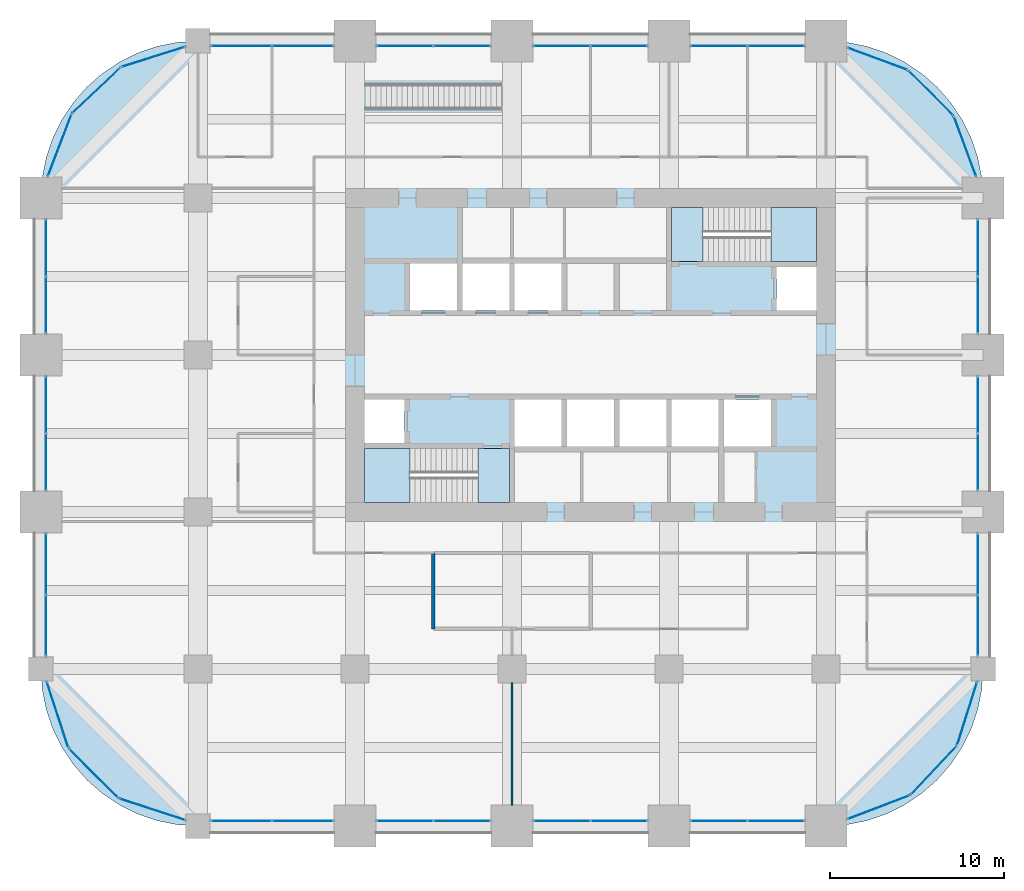
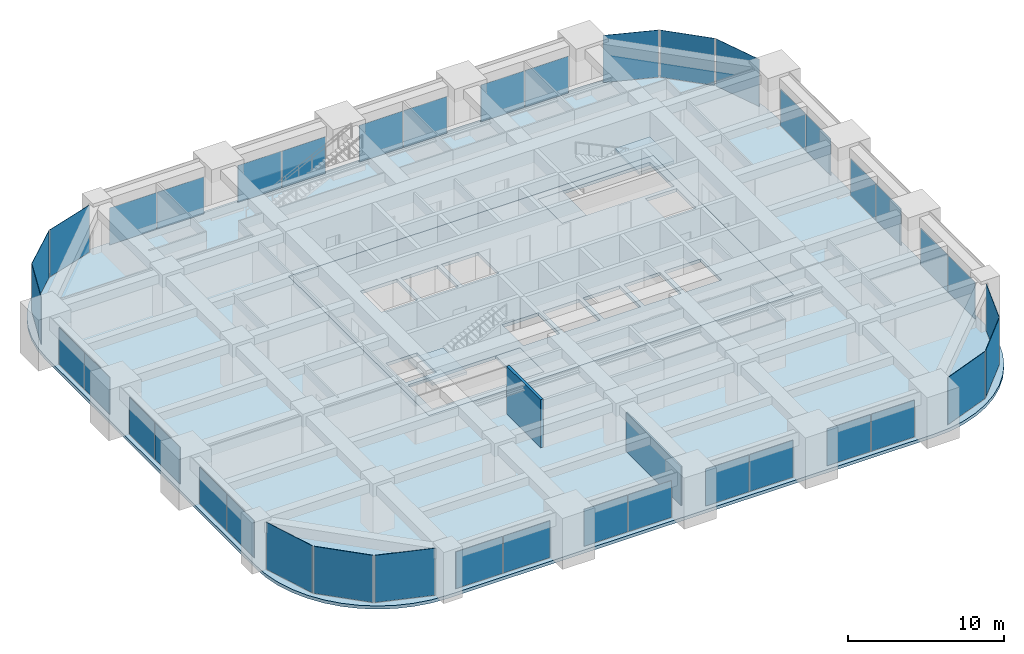
# One storey, part 28 of 33: 40 plates, 6 slabs, 2 walls, 28 elements without a shape of their own.
"""IFC4 building model written with IfcOpenShell, lengths in metres."""

from ifc_helpers import new_model, si_unit, direction, frame, frame_2d, origin, origin_2d, place, context, subcontext, project, spatial, polyline, rectangle, outline, extrude, material, layer, layer_set, type_object, element, aggregate, save


model = new_model("IFC4")

# Units and contexts
model_context = context("Model", 3, precision=1e-05, world=origin(), true_north=direction((0.0, 1.0)))
body_context = subcontext(model_context, "Body", "Model", "MODEL_VIEW")
ifc_project = project(units=[si_unit("LENGTHUNIT", "METRE"), si_unit("AREAUNIT", "SQUARE_METRE"), si_unit("VOLUMEUNIT", "CUBIC_METRE"), si_unit("PLANEANGLEUNIT", "RADIAN"), si_unit("MASSUNIT", "GRAM", prefix="KILO")], contexts=[model_context])

# Site, building, storey
site_placement = place(None, origin())
site = spatial("IfcSite", under=ifc_project, at=site_placement, CompositionType="ELEMENT")
building_placement = place(site_placement, origin())
building = spatial("IfcBuilding", under=site, at=building_placement, Name="Zorevar Civic Tower", CompositionType="ELEMENT")
storey_placement = place(building_placement, frame((0.0, 0.0, 194.199951171875)))
storey = spatial("IfcBuildingStorey", under=building, at=storey_placement, Name="L47", CompositionType="ELEMENT", Elevation=194.199951171875)

# Curtain wall, plates
ifc_material_1 = material(Name="Dark grey solar-control glass in black aluminium frame", Category="aluminium")
curtain_wall_type = type_object("IfcCurtainWallType", Name="Curtain wall CW4 high zone", PredefinedType="NOTDEFINED", material=ifc_material_1)
curtain_wall_1_placement = place(storey_placement, origin())
curtain_wall_1 = element("IfcCurtainWall", 1, at=curtain_wall_1_placement, inside=storey, type_object=curtain_wall_type, Name="CW4 L47", PredefinedType="NOTDEFINED")
ifc_material_2 = material(Name="Dark grey solar-control glass", Category="glass")
ifc_layer_1 = layer(ifc_material_2, 0.028076171875)
ifc_layer_set_1 = layer_set([ifc_layer_1], Name="CW4 panel 28")
plate_type = type_object("IfcPlateType", Name="CW4 panel 28", PredefinedType="CURTAIN_PANEL", material=ifc_layer_set_1)
plate_1_placement = place(storey_placement, frame((11.489990234375, 0.300048828125, 0.06005859375), z_axis=(0.0, 0.0, 1.0), x_axis=(1.0, 0.0, 0.0)))
plate_1 = element("IfcPlate", 2, at=plate_1_placement, type_object=plate_type, Name="CW4 panel 1.1", PredefinedType="CURTAIN_PANEL", context=body_context, shape_type="SweptSolid", body=[
    extrude(rectangle(XDim=3.4599609375, YDim=0.028076171875, at=origin_2d()), origin(), (0.0, 0.0, 1.0), 2.889892578125),
])
plate_2_placement = place(storey_placement, frame((15.010009765625, 0.300048828125, 0.06005859375), z_axis=(0.0, 0.0, 1.0), x_axis=(1.0, 0.0, 0.0)))
plate_2 = element("IfcPlate", 3, at=plate_2_placement, type_object=plate_type, Name="CW4 panel 2.1", PredefinedType="CURTAIN_PANEL", context=body_context, shape_type="SweptSolid", body=[
    extrude(rectangle(XDim=3.4599609375, YDim=0.028076171875, at=origin_2d()), origin(), (0.0, 0.0, 1.0), 2.889892578125),
])
aggregate(curtain_wall_1, [plate_1, plate_2])

curtain_wall_2_placement = place(storey_placement, origin())
curtain_wall_2 = element("IfcCurtainWall", 4, at=curtain_wall_2_placement, inside=storey, type_object=curtain_wall_type, Name="CW4 L47", PredefinedType="NOTDEFINED")
plate_3_placement = place(storey_placement, frame((11.489990234375, 44.699951171875, 0.06005859375), z_axis=(0.0, 0.0, 1.0), x_axis=(1.0, 0.0, 0.0)))
plate_3 = element("IfcPlate", 5, at=plate_3_placement, type_object=plate_type, Name="CW4 panel 1.1", PredefinedType="CURTAIN_PANEL", context=body_context, shape_type="SweptSolid", body=[
    extrude(rectangle(XDim=3.4599609375, YDim=0.028076171875, at=origin_2d()), origin(), (0.0, 0.0, 1.0), 2.889892578125),
])
plate_4_placement = place(storey_placement, frame((15.010009765625, 44.699951171875, 0.06005859375), z_axis=(0.0, 0.0, 1.0), x_axis=(1.0, 0.0, 0.0)))
plate_4 = element("IfcPlate", 6, at=plate_4_placement, type_object=plate_type, Name="CW4 panel 2.1", PredefinedType="CURTAIN_PANEL", context=body_context, shape_type="SweptSolid", body=[
    extrude(rectangle(XDim=3.4599609375, YDim=0.028076171875, at=origin_2d()), origin(), (0.0, 0.0, 1.0), 2.889892578125),
])
aggregate(curtain_wall_2, [plate_3, plate_4])

curtain_wall_3_placement = place(storey_placement, origin())
curtain_wall_3 = element("IfcCurtainWall", 7, at=curtain_wall_3_placement, inside=storey, type_object=curtain_wall_type, Name="CW4 L47", PredefinedType="NOTDEFINED")
plate_5_placement = place(storey_placement, frame((20.864990234375, 0.300048828125, 0.06005859375), z_axis=(0.0, 0.0, 1.0), x_axis=(1.0, 0.0, 0.0)))
plate_5 = element("IfcPlate", 8, at=plate_5_placement, type_object=plate_type, Name="CW4 panel 1.1", PredefinedType="CURTAIN_PANEL", context=body_context, shape_type="SweptSolid", body=[
    extrude(rectangle(XDim=3.2099609375, YDim=0.028076171875, at=origin_2d()), origin(), (0.0, 0.0, 1.0), 2.889892578125),
])
plate_6_placement = place(storey_placement, frame((24.135009765625, 0.300048828125, 0.06005859375), z_axis=(0.0, 0.0, 1.0), x_axis=(1.0, 0.0, 0.0)))
plate_6 = element("IfcPlate", 9, at=plate_6_placement, type_object=plate_type, Name="CW4 panel 2.1", PredefinedType="CURTAIN_PANEL", context=body_context, shape_type="SweptSolid", body=[
    extrude(rectangle(XDim=3.2099609375, YDim=0.028076171875, at=origin_2d()), origin(), (0.0, 0.0, 1.0), 2.889892578125),
])
aggregate(curtain_wall_3, [plate_5, plate_6])

curtain_wall_4_placement = place(storey_placement, origin())
curtain_wall_4 = element("IfcCurtainWall", 10, at=curtain_wall_4_placement, inside=storey, type_object=curtain_wall_type, Name="CW4 L47", PredefinedType="NOTDEFINED")
plate_7_placement = place(storey_placement, frame((20.864990234375, 44.699951171875, 0.06005859375), z_axis=(0.0, 0.0, 1.0), x_axis=(1.0, 0.0, 0.0)))
plate_7 = element("IfcPlate", 11, at=plate_7_placement, type_object=plate_type, Name="CW4 panel 1.1", PredefinedType="CURTAIN_PANEL", context=body_context, shape_type="SweptSolid", body=[
    extrude(rectangle(XDim=3.2099609375, YDim=0.028076171875, at=origin_2d()), origin(), (0.0, 0.0, 1.0), 2.889892578125),
])
plate_8_placement = place(storey_placement, frame((24.135009765625, 44.699951171875, 0.06005859375), z_axis=(0.0, 0.0, 1.0), x_axis=(1.0, 0.0, 0.0)))
plate_8 = element("IfcPlate", 12, at=plate_8_placement, type_object=plate_type, Name="CW4 panel 2.1", PredefinedType="CURTAIN_PANEL", context=body_context, shape_type="SweptSolid", body=[
    extrude(rectangle(XDim=3.2099609375, YDim=0.028076171875, at=origin_2d()), origin(), (0.0, 0.0, 1.0), 2.889892578125),
])
aggregate(curtain_wall_4, [plate_7, plate_8])

curtain_wall_5_placement = place(storey_placement, origin())
curtain_wall_5 = element("IfcCurtainWall", 13, at=curtain_wall_5_placement, inside=storey, type_object=curtain_wall_type, Name="CW4 L47", PredefinedType="NOTDEFINED")
plate_9_placement = place(storey_placement, frame((29.864990234375, 0.300048828125, 0.06005859375), z_axis=(0.0, 0.0, 1.0), x_axis=(1.0, 0.0, 0.0)))
plate_9 = element("IfcPlate", 14, at=plate_9_placement, type_object=plate_type, Name="CW4 panel 1.1", PredefinedType="CURTAIN_PANEL", context=body_context, shape_type="SweptSolid", body=[
    extrude(rectangle(XDim=3.2099609375, YDim=0.028076171875, at=origin_2d()), origin(), (0.0, 0.0, 1.0), 2.889892578125),
])
plate_10_placement = place(storey_placement, frame((33.135009765625, 0.300048828125, 0.06005859375), z_axis=(0.0, 0.0, 1.0), x_axis=(1.0, 0.0, 0.0)))
plate_10 = element("IfcPlate", 15, at=plate_10_placement, type_object=plate_type, Name="CW4 panel 2.1", PredefinedType="CURTAIN_PANEL", context=body_context, shape_type="SweptSolid", body=[
    extrude(rectangle(XDim=3.2099609375, YDim=0.028076171875, at=origin_2d()), origin(), (0.0, 0.0, 1.0), 2.889892578125),
])
aggregate(curtain_wall_5, [plate_9, plate_10])

curtain_wall_6_placement = place(storey_placement, origin())
curtain_wall_6 = element("IfcCurtainWall", 16, at=curtain_wall_6_placement, inside=storey, type_object=curtain_wall_type, Name="CW4 L47", PredefinedType="NOTDEFINED")
plate_11_placement = place(storey_placement, frame((29.864990234375, 44.699951171875, 0.06005859375), z_axis=(0.0, 0.0, 1.0), x_axis=(1.0, 0.0, 0.0)))
plate_11 = element("IfcPlate", 17, at=plate_11_placement, type_object=plate_type, Name="CW4 panel 1.1", PredefinedType="CURTAIN_PANEL", context=body_context, shape_type="SweptSolid", body=[
    extrude(rectangle(XDim=3.2099609375, YDim=0.028076171875, at=origin_2d()), origin(), (0.0, 0.0, 1.0), 2.889892578125),
])
plate_12_placement = place(storey_placement, frame((33.135009765625, 44.699951171875, 0.06005859375), z_axis=(0.0, 0.0, 1.0), x_axis=(1.0, 0.0, 0.0)))
plate_12 = element("IfcPlate", 18, at=plate_12_placement, type_object=plate_type, Name="CW4 panel 2.1", PredefinedType="CURTAIN_PANEL", context=body_context, shape_type="SweptSolid", body=[
    extrude(rectangle(XDim=3.2099609375, YDim=0.028076171875, at=origin_2d()), origin(), (0.0, 0.0, 1.0), 2.889892578125),
])
aggregate(curtain_wall_6, [plate_11, plate_12])

curtain_wall_7_placement = place(storey_placement, origin())
curtain_wall_7 = element("IfcCurtainWall", 19, at=curtain_wall_7_placement, inside=storey, type_object=curtain_wall_type, Name="CW4 L47", PredefinedType="NOTDEFINED")
plate_13_placement = place(storey_placement, frame((38.864990234375, 0.300048828125, 0.06005859375), z_axis=(0.0, 0.0, 1.0), x_axis=(1.0, 0.0, 0.0)))
plate_13 = element("IfcPlate", 20, at=plate_13_placement, type_object=plate_type, Name="CW4 panel 1.1", PredefinedType="CURTAIN_PANEL", context=body_context, shape_type="SweptSolid", body=[
    extrude(rectangle(XDim=3.2099609375, YDim=0.028076171875, at=origin_2d()), origin(), (0.0, 0.0, 1.0), 2.889892578125),
])
plate_14_placement = place(storey_placement, frame((42.135009765625, 0.300048828125, 0.06005859375), z_axis=(0.0, 0.0, 1.0), x_axis=(1.0, 0.0, 0.0)))
plate_14 = element("IfcPlate", 21, at=plate_14_placement, type_object=plate_type, Name="CW4 panel 2.1", PredefinedType="CURTAIN_PANEL", context=body_context, shape_type="SweptSolid", body=[
    extrude(rectangle(XDim=3.2099609375, YDim=0.028076171875, at=origin_2d()), origin(), (0.0, 0.0, 1.0), 2.889892578125),
])
aggregate(curtain_wall_7, [plate_13, plate_14])

curtain_wall_8_placement = place(storey_placement, origin())
curtain_wall_8 = element("IfcCurtainWall", 22, at=curtain_wall_8_placement, inside=storey, type_object=curtain_wall_type, Name="CW4 L47", PredefinedType="NOTDEFINED")
plate_15_placement = place(storey_placement, frame((38.864990234375, 44.699951171875, 0.06005859375), z_axis=(0.0, 0.0, 1.0), x_axis=(1.0, 0.0, 0.0)))
plate_15 = element("IfcPlate", 23, at=plate_15_placement, type_object=plate_type, Name="CW4 panel 1.1", PredefinedType="CURTAIN_PANEL", context=body_context, shape_type="SweptSolid", body=[
    extrude(rectangle(XDim=3.2099609375, YDim=0.028076171875, at=origin_2d()), origin(), (0.0, 0.0, 1.0), 2.889892578125),
])
plate_16_placement = place(storey_placement, frame((42.135009765625, 44.699951171875, 0.06005859375), z_axis=(0.0, 0.0, 1.0), x_axis=(1.0, 0.0, 0.0)))
plate_16 = element("IfcPlate", 24, at=plate_16_placement, type_object=plate_type, Name="CW4 panel 2.1", PredefinedType="CURTAIN_PANEL", context=body_context, shape_type="SweptSolid", body=[
    extrude(rectangle(XDim=3.2099609375, YDim=0.028076171875, at=origin_2d()), origin(), (0.0, 0.0, 1.0), 2.889892578125),
])
aggregate(curtain_wall_8, [plate_15, plate_16])

curtain_wall_9_placement = place(storey_placement, origin())
curtain_wall_9 = element("IfcCurtainWall", 25, at=curtain_wall_9_placement, inside=storey, type_object=curtain_wall_type, Name="CW4 L47", PredefinedType="NOTDEFINED")
plate_17_placement = place(storey_placement, frame((0.300048828125, 11.489990234375, 0.06005859375), z_axis=(0.0, 0.0, 1.0), x_axis=(0.0, 1.0, 0.0)))
plate_17 = element("IfcPlate", 26, at=plate_17_placement, type_object=plate_type, Name="CW4 panel 1.1", PredefinedType="CURTAIN_PANEL", context=body_context, shape_type="SweptSolid", body=[
    extrude(rectangle(XDim=3.4599609375, YDim=0.028076171875, at=origin_2d()), origin(), (0.0, 0.0, 1.0), 2.889892578125),
])
plate_18_placement = place(storey_placement, frame((0.300048828125, 15.010009765625, 0.06005859375), z_axis=(0.0, 0.0, 1.0), x_axis=(0.0, 1.0, 0.0)))
plate_18 = element("IfcPlate", 27, at=plate_18_placement, type_object=plate_type, Name="CW4 panel 2.1", PredefinedType="CURTAIN_PANEL", context=body_context, shape_type="SweptSolid", body=[
    extrude(rectangle(XDim=3.4599609375, YDim=0.028076171875, at=origin_2d()), origin(), (0.0, 0.0, 1.0), 2.889892578125),
])
aggregate(curtain_wall_9, [plate_17, plate_18])

curtain_wall_10_placement = place(storey_placement, origin())
curtain_wall_10 = element("IfcCurtainWall", 28, at=curtain_wall_10_placement, inside=storey, type_object=curtain_wall_type, Name="CW4 L47", PredefinedType="NOTDEFINED")
plate_19_placement = place(storey_placement, frame((53.699951171875, 11.489990234375, 0.06005859375), z_axis=(0.0, 0.0, 1.0), x_axis=(0.0, 1.0, 0.0)))
plate_19 = element("IfcPlate", 29, at=plate_19_placement, type_object=plate_type, Name="CW4 panel 1.1", PredefinedType="CURTAIN_PANEL", context=body_context, shape_type="SweptSolid", body=[
    extrude(rectangle(XDim=3.4599609375, YDim=0.028076171875, at=origin_2d()), origin(), (0.0, 0.0, 1.0), 2.889892578125),
])
plate_20_placement = place(storey_placement, frame((53.699951171875, 15.010009765625, 0.06005859375), z_axis=(0.0, 0.0, 1.0), x_axis=(0.0, 1.0, 0.0)))
plate_20 = element("IfcPlate", 30, at=plate_20_placement, type_object=plate_type, Name="CW4 panel 2.1", PredefinedType="CURTAIN_PANEL", context=body_context, shape_type="SweptSolid", body=[
    extrude(rectangle(XDim=3.4599609375, YDim=0.028076171875, at=origin_2d()), origin(), (0.0, 0.0, 1.0), 2.889892578125),
])
aggregate(curtain_wall_10, [plate_19, plate_20])

curtain_wall_11_placement = place(storey_placement, origin())
curtain_wall_11 = element("IfcCurtainWall", 31, at=curtain_wall_11_placement, inside=storey, type_object=curtain_wall_type, Name="CW4 L47", PredefinedType="NOTDEFINED")
plate_21_placement = place(storey_placement, frame((0.300048828125, 20.864990234375, 0.06005859375), z_axis=(0.0, 0.0, 1.0), x_axis=(0.0, 1.0, 0.0)))
plate_21 = element("IfcPlate", 32, at=plate_21_placement, type_object=plate_type, Name="CW4 panel 1.1", PredefinedType="CURTAIN_PANEL", context=body_context, shape_type="SweptSolid", body=[
    extrude(rectangle(XDim=3.2099609375, YDim=0.028076171875, at=origin_2d()), origin(), (0.0, 0.0, 1.0), 2.889892578125),
])
plate_22_placement = place(storey_placement, frame((0.300048828125, 24.135009765625, 0.06005859375), z_axis=(0.0, 0.0, 1.0), x_axis=(0.0, 1.0, 0.0)))
plate_22 = element("IfcPlate", 33, at=plate_22_placement, type_object=plate_type, Name="CW4 panel 2.1", PredefinedType="CURTAIN_PANEL", context=body_context, shape_type="SweptSolid", body=[
    extrude(rectangle(XDim=3.2099609375, YDim=0.028076171875, at=origin_2d()), origin(), (0.0, 0.0, 1.0), 2.889892578125),
])
aggregate(curtain_wall_11, [plate_21, plate_22])

curtain_wall_12_placement = place(storey_placement, origin())
curtain_wall_12 = element("IfcCurtainWall", 34, at=curtain_wall_12_placement, inside=storey, type_object=curtain_wall_type, Name="CW4 L47", PredefinedType="NOTDEFINED")
plate_23_placement = place(storey_placement, frame((53.699951171875, 20.864990234375, 0.06005859375), z_axis=(0.0, 0.0, 1.0), x_axis=(0.0, 1.0, 0.0)))
plate_23 = element("IfcPlate", 35, at=plate_23_placement, type_object=plate_type, Name="CW4 panel 1.1", PredefinedType="CURTAIN_PANEL", context=body_context, shape_type="SweptSolid", body=[
    extrude(rectangle(XDim=3.2099609375, YDim=0.028076171875, at=origin_2d()), origin(), (0.0, 0.0, 1.0), 2.889892578125),
])
plate_24_placement = place(storey_placement, frame((53.699951171875, 24.135009765625, 0.06005859375), z_axis=(0.0, 0.0, 1.0), x_axis=(0.0, 1.0, 0.0)))
plate_24 = element("IfcPlate", 36, at=plate_24_placement, type_object=plate_type, Name="CW4 panel 2.1", PredefinedType="CURTAIN_PANEL", context=body_context, shape_type="SweptSolid", body=[
    extrude(rectangle(XDim=3.2099609375, YDim=0.028076171875, at=origin_2d()), origin(), (0.0, 0.0, 1.0), 2.889892578125),
])
aggregate(curtain_wall_12, [plate_23, plate_24])

curtain_wall_13_placement = place(storey_placement, origin())
curtain_wall_13 = element("IfcCurtainWall", 37, at=curtain_wall_13_placement, inside=storey, type_object=curtain_wall_type, Name="CW4 L47", PredefinedType="NOTDEFINED")
plate_25_placement = place(storey_placement, frame((0.300048828125, 29.864990234375, 0.06005859375), z_axis=(0.0, 0.0, 1.0), x_axis=(0.0, 1.0, 0.0)))
plate_25 = element("IfcPlate", 38, at=plate_25_placement, type_object=plate_type, Name="CW4 panel 1.1", PredefinedType="CURTAIN_PANEL", context=body_context, shape_type="SweptSolid", body=[
    extrude(rectangle(XDim=3.2099609375, YDim=0.028076171875, at=origin_2d()), origin(), (0.0, 0.0, 1.0), 2.889892578125),
])
plate_26_placement = place(storey_placement, frame((0.300048828125, 33.135009765625, 0.06005859375), z_axis=(0.0, 0.0, 1.0), x_axis=(0.0, 1.0, 0.0)))
plate_26 = element("IfcPlate", 39, at=plate_26_placement, type_object=plate_type, Name="CW4 panel 2.1", PredefinedType="CURTAIN_PANEL", context=body_context, shape_type="SweptSolid", body=[
    extrude(rectangle(XDim=3.2099609375, YDim=0.028076171875, at=origin_2d()), origin(), (0.0, 0.0, 1.0), 2.889892578125),
])
aggregate(curtain_wall_13, [plate_25, plate_26])

curtain_wall_14_placement = place(storey_placement, origin())
curtain_wall_14 = element("IfcCurtainWall", 40, at=curtain_wall_14_placement, inside=storey, type_object=curtain_wall_type, Name="CW4 L47", PredefinedType="NOTDEFINED")
plate_27_placement = place(storey_placement, frame((53.699951171875, 29.864990234375, 0.06005859375), z_axis=(0.0, 0.0, 1.0), x_axis=(0.0, 1.0, 0.0)))
plate_27 = element("IfcPlate", 41, at=plate_27_placement, type_object=plate_type, Name="CW4 panel 1.1", PredefinedType="CURTAIN_PANEL", context=body_context, shape_type="SweptSolid", body=[
    extrude(rectangle(XDim=3.2099609375, YDim=0.028076171875, at=origin_2d()), origin(), (0.0, 0.0, 1.0), 2.889892578125),
])
plate_28_placement = place(storey_placement, frame((53.699951171875, 33.135009765625, 0.06005859375), z_axis=(0.0, 0.0, 1.0), x_axis=(0.0, 1.0, 0.0)))
plate_28 = element("IfcPlate", 42, at=plate_28_placement, type_object=plate_type, Name="CW4 panel 2.1", PredefinedType="CURTAIN_PANEL", context=body_context, shape_type="SweptSolid", body=[
    extrude(rectangle(XDim=3.2099609375, YDim=0.028076171875, at=origin_2d()), origin(), (0.0, 0.0, 1.0), 2.889892578125),
])
aggregate(curtain_wall_14, [plate_27, plate_28])

# Curtain wall, plate
curtain_wall_15_placement = place(storey_placement, origin())
curtain_wall_15 = element("IfcCurtainWall", 43, at=curtain_wall_15_placement, inside=storey, type_object=curtain_wall_type, Name="CW4 L47", PredefinedType="NOTDEFINED")
plate_29_placement = place(storey_placement, frame((48.0166015625, 1.07470703125, 0.06005859375), z_axis=(0.0, 0.0, 1.0), x_axis=(0.93458842801, 0.355730895803, 0.0)))
plate_29 = element("IfcPlate", 44, at=plate_29_placement, type_object=plate_type, Name="CW4 panel 1.1", PredefinedType="CURTAIN_PANEL", context=body_context, shape_type="SweptSolid", body=[
    extrude(rectangle(XDim=3.767333984375, YDim=0.028076171875, at=origin_2d()), origin(), (0.0, 0.0, 1.0), 3.68994140625),
])
aggregate(curtain_wall_15, [plate_29])

curtain_wall_16_placement = place(storey_placement, origin())
curtain_wall_16 = element("IfcCurtainWall", 45, at=curtain_wall_16_placement, inside=storey, type_object=curtain_wall_type, Name="CW4 L47", PredefinedType="NOTDEFINED")
plate_30_placement = place(storey_placement, frame((51.167236328125, 3.179443359375, 0.06005859375), z_axis=(0.0, 0.0, 1.0), x_axis=(0.686377907265, 0.727245053898, 0.0)))
plate_30 = element("IfcPlate", 46, at=plate_30_placement, type_object=plate_type, Name="CW4 panel 1.1", PredefinedType="CURTAIN_PANEL", context=body_context, shape_type="SweptSolid", body=[
    extrude(rectangle(XDim=3.767333984375, YDim=0.028076171875, at=origin_2d()), origin(), (0.0, 0.0, 1.0), 3.68994140625),
])
aggregate(curtain_wall_16, [plate_30])

curtain_wall_17_placement = place(storey_placement, origin())
curtain_wall_17 = element("IfcCurtainWall", 47, at=curtain_wall_17_placement, inside=storey, type_object=curtain_wall_type, Name="CW4 L47", PredefinedType="NOTDEFINED")
plate_31_placement = place(storey_placement, frame((53.08642578125, 6.446533203125, 0.06005859375), z_axis=(0.0, 0.0, 1.0), x_axis=(0.301108296077, 0.953589950678, 0.0)))
plate_31 = element("IfcPlate", 48, at=plate_31_placement, type_object=plate_type, Name="CW4 panel 1.1", PredefinedType="CURTAIN_PANEL", context=body_context, shape_type="SweptSolid", body=[
    extrude(rectangle(XDim=3.767333984375, YDim=0.028076171875, at=origin_2d()), origin(), (0.0, 0.0, 1.0), 3.68994140625),
])
aggregate(curtain_wall_17, [plate_31])

curtain_wall_18_placement = place(storey_placement, origin())
curtain_wall_18 = element("IfcCurtainWall", 49, at=curtain_wall_18_placement, inside=storey, type_object=curtain_wall_type, Name="CW4 L47", PredefinedType="NOTDEFINED")
plate_32_placement = place(storey_placement, frame((52.97119140625, 38.9462890625, 0.06005859375), z_axis=(0.0, 0.0, 1.0), x_axis=(-0.346704012033, 0.937974588163, 0.0)))
plate_32 = element("IfcPlate", 50, at=plate_32_placement, type_object=plate_type, Name="CW4 panel 1.1", PredefinedType="CURTAIN_PANEL", context=body_context, shape_type="SweptSolid", body=[
    extrude(rectangle(XDim=3.603759765625, YDim=0.028076171875, at=origin_2d()), origin(), (0.0, 0.0, 1.0), 3.68994140625),
])
aggregate(curtain_wall_18, [plate_32])

curtain_wall_19_placement = place(storey_placement, origin())
curtain_wall_19 = element("IfcCurtainWall", 51, at=curtain_wall_19_placement, inside=storey, type_object=curtain_wall_type, Name="CW4 L47", PredefinedType="NOTDEFINED")
plate_33_placement = place(storey_placement, frame((51.00927734375, 42.00927734375, 0.06005859375), z_axis=(0.0, 0.0, 1.0), x_axis=(-0.707106781187, 0.707106781187, 0.0)))
plate_33 = element("IfcPlate", 52, at=plate_33_placement, type_object=plate_type, Name="CW4 panel 1.1", PredefinedType="CURTAIN_PANEL", context=body_context, shape_type="SweptSolid", body=[
    extrude(rectangle(XDim=3.603759765625, YDim=0.028076171875, at=origin_2d()), origin(), (0.0, 0.0, 1.0), 3.68994140625),
])
aggregate(curtain_wall_19, [plate_33])

curtain_wall_20_placement = place(storey_placement, origin())
curtain_wall_20 = element("IfcCurtainWall", 53, at=curtain_wall_20_placement, inside=storey, type_object=curtain_wall_type, Name="CW4 L47", PredefinedType="NOTDEFINED")
plate_34_placement = place(storey_placement, frame((47.9462890625, 43.97119140625, 0.06005859375), z_axis=(0.0, 0.0, 1.0), x_axis=(-0.937974588163, 0.346704012033, 0.0)))
plate_34 = element("IfcPlate", 54, at=plate_34_placement, type_object=plate_type, Name="CW4 panel 1.1", PredefinedType="CURTAIN_PANEL", context=body_context, shape_type="SweptSolid", body=[
    extrude(rectangle(XDim=3.603759765625, YDim=0.028076171875, at=origin_2d()), origin(), (0.0, 0.0, 1.0), 3.68994140625),
])
aggregate(curtain_wall_20, [plate_34])

curtain_wall_21_placement = place(storey_placement, origin())
curtain_wall_21 = element("IfcCurtainWall", 55, at=curtain_wall_21_placement, inside=storey, type_object=curtain_wall_type, Name="CW4 L47", PredefinedType="NOTDEFINED")
plate_35_placement = place(storey_placement, frame((6.446533203125, 44.08642578125, 0.06005859375), z_axis=(0.0, 0.0, 1.0), x_axis=(-0.953589950678, -0.301108296077, 0.0)))
plate_35 = element("IfcPlate", 56, at=plate_35_placement, type_object=plate_type, Name="CW4 panel 1.1", PredefinedType="CURTAIN_PANEL", context=body_context, shape_type="SweptSolid", body=[
    extrude(rectangle(XDim=3.767333984375, YDim=0.028076171875, at=origin_2d()), origin(), (0.0, 0.0, 1.0), 3.68994140625),
])
aggregate(curtain_wall_21, [plate_35])

curtain_wall_22_placement = place(storey_placement, origin())
curtain_wall_22 = element("IfcCurtainWall", 57, at=curtain_wall_22_placement, inside=storey, type_object=curtain_wall_type, Name="CW4 L47", PredefinedType="NOTDEFINED")
plate_36_placement = place(storey_placement, frame((3.179443359375, 42.167236328125, 0.06005859375), z_axis=(0.0, 0.0, 1.0), x_axis=(-0.727245053898, -0.686377907265, 0.0)))
plate_36 = element("IfcPlate", 58, at=plate_36_placement, type_object=plate_type, Name="CW4 panel 1.1", PredefinedType="CURTAIN_PANEL", context=body_context, shape_type="SweptSolid", body=[
    extrude(rectangle(XDim=3.767333984375, YDim=0.028076171875, at=origin_2d()), origin(), (0.0, 0.0, 1.0), 3.68994140625),
])
aggregate(curtain_wall_22, [plate_36])

curtain_wall_23_placement = place(storey_placement, origin())
curtain_wall_23 = element("IfcCurtainWall", 59, at=curtain_wall_23_placement, inside=storey, type_object=curtain_wall_type, Name="CW4 L47", PredefinedType="NOTDEFINED")
plate_37_placement = place(storey_placement, frame((1.07470703125, 39.0166015625, 0.06005859375), z_axis=(0.0, 0.0, 1.0), x_axis=(-0.355730895803, -0.93458842801, 0.0)))
plate_37 = element("IfcPlate", 60, at=plate_37_placement, type_object=plate_type, Name="CW4 panel 1.1", PredefinedType="CURTAIN_PANEL", context=body_context, shape_type="SweptSolid", body=[
    extrude(rectangle(XDim=3.767333984375, YDim=0.028076171875, at=origin_2d()), origin(), (0.0, 0.0, 1.0), 3.68994140625),
])
aggregate(curtain_wall_23, [plate_37])

curtain_wall_24_placement = place(storey_placement, origin())
curtain_wall_24 = element("IfcCurtainWall", 61, at=curtain_wall_24_placement, inside=storey, type_object=curtain_wall_type, Name="CW4 L47", PredefinedType="NOTDEFINED")
plate_38_placement = place(storey_placement, frame((0.956787109375, 6.374755859375, 0.06005859375), z_axis=(0.0, 0.0, 1.0), x_axis=(0.310281419775, -0.950644749916, 0.0)))
plate_38 = element("IfcPlate", 62, at=plate_38_placement, type_object=plate_type, Name="CW4 panel 1.1", PredefinedType="CURTAIN_PANEL", context=body_context, shape_type="SweptSolid", body=[
    extrude(rectangle(XDim=3.9306640625, YDim=0.028076171875, at=origin_2d()), origin(), (0.0, 0.0, 1.0), 3.68994140625),
])
aggregate(curtain_wall_24, [plate_38])

curtain_wall_25_placement = place(storey_placement, origin())
curtain_wall_25 = element("IfcCurtainWall", 63, at=curtain_wall_25_placement, inside=storey, type_object=curtain_wall_type, Name="CW4 L47", PredefinedType="NOTDEFINED")
plate_39_placement = place(storey_placement, frame((3.01708984375, 3.01708984375, 0.06005859375), z_axis=(0.0, 0.0, 1.0), x_axis=(0.707106781187, -0.707106781187, 0.0)))
plate_39 = element("IfcPlate", 64, at=plate_39_placement, type_object=plate_type, Name="CW4 panel 1.1", PredefinedType="CURTAIN_PANEL", context=body_context, shape_type="SweptSolid", body=[
    extrude(rectangle(XDim=3.9306640625, YDim=0.028076171875, at=origin_2d()), origin(), (0.0, 0.0, 1.0), 3.68994140625),
])
aggregate(curtain_wall_25, [plate_39])

curtain_wall_26_placement = place(storey_placement, origin())
curtain_wall_26 = element("IfcCurtainWall", 65, at=curtain_wall_26_placement, inside=storey, type_object=curtain_wall_type, Name="CW4 L47", PredefinedType="NOTDEFINED")
plate_40_placement = place(storey_placement, frame((6.374755859375, 0.956787109375, 0.06005859375), z_axis=(0.0, 0.0, 1.0), x_axis=(0.950644749916, -0.310281419775, 0.0)))
plate_40 = element("IfcPlate", 66, at=plate_40_placement, type_object=plate_type, Name="CW4 panel 1.1", PredefinedType="CURTAIN_PANEL", context=body_context, shape_type="SweptSolid", body=[
    extrude(rectangle(XDim=3.9306640625, YDim=0.028076171875, at=origin_2d()), origin(), (0.0, 0.0, 1.0), 3.68994140625),
])
aggregate(curtain_wall_26, [plate_40])

# Slabs
ifc_material_3 = material(Name="Concrete C40/50", Category="concrete")
ifc_layer_2 = layer(ifc_material_3, 0.25)
ifc_layer_set_2 = layer_set([ifc_layer_2], Name="Floor slab 250")
slab_type_1 = type_object("IfcSlabType", Name="Floor slab 250", PredefinedType="FLOOR", material=ifc_layer_set_2)
slab_1_placement = place(storey_placement, frame((0.0, 0.0, -0.25)))
element("IfcSlab", 67, at=slab_1_placement, inside=storey, type_object=slab_type_1, Name="Floor slab L47", PredefinedType="FLOOR", context=body_context, shape_type="SweptSolid", body=[
    extrude(outline(polyline([(45.0, 0.0), (46.1748046875, 0.076904296875), (47.329345703125, 0.306640625), (48.444091796875, 0.68505859375), (49.5, 1.205810546875), (50.478759765625, 1.85986328125), (51.364013671875, 2.635986328125), (52.14013671875, 3.521240234375), (52.794189453125, 4.5), (53.31494140625, 5.555908203125), (53.693359375, 6.670654296875), (53.923095703125, 7.8251953125), (54.0, 9.0), (54.0, 36.0), (53.923095703125, 37.1748046875), (53.693359375, 38.329345703125), (53.31494140625, 39.444091796875), (52.794189453125, 40.5), (52.14013671875, 41.478759765625), (51.364013671875, 42.364013671875), (50.478759765625, 43.14013671875), (49.5, 43.794189453125), (48.444091796875, 44.31494140625), (47.329345703125, 44.693359375), (46.1748046875, 44.923095703125), (45.0, 45.0), (9.0, 45.0), (7.8251953125, 44.923095703125), (6.670654296875, 44.693359375), (5.555908203125, 44.31494140625), (4.5, 43.794189453125), (3.521240234375, 43.14013671875), (2.635986328125, 42.364013671875), (1.85986328125, 41.478759765625), (1.205810546875, 40.5), (0.68505859375, 39.444091796875), (0.306640625, 38.329345703125), (0.076904296875, 37.1748046875), (0.0, 36.0), (0.0, 9.0), (0.076904296875, 7.8251953125), (0.306640625, 6.670654296875), (0.68505859375, 5.555908203125), (1.205810546875, 4.5), (1.85986328125, 3.521240234375), (2.635986328125, 2.635986328125), (3.521240234375, 1.85986328125), (4.5, 1.205810546875), (5.555908203125, 0.68505859375), (6.670654296875, 0.306640625), (7.8251953125, 0.076904296875), (9.0, 0.0), (45.0, 0.0)]), holes=[polyline([(18.0, 18.0), (45.0, 18.0), (45.0, 36.0), (18.0, 36.0), (18.0, 18.0)])]), origin(), (0.0, 0.0, 1.0), 0.25),
])
slab_2_placement = place(storey_placement, frame((0.0, 0.0, -0.25)))
element("IfcSlab", 68, at=slab_2_placement, inside=storey, type_object=slab_type_1, Name="Core floor L47", PredefinedType="FLOOR", context=body_context, shape_type="SweptSolid", body=[
    extrude(outline(polyline([(18.0, 18.0), (45.0, 18.0), (45.0, 36.0), (18.0, 36.0), (18.0, 18.0)]), holes=[polyline([(18.550048828125, 18.550048828125), (26.85009765625, 18.550048828125), (26.85009765625, 21.64990234375), (18.550048828125, 21.64990234375), (18.550048828125, 18.550048828125)]), polyline([(36.14990234375, 32.35009765625), (44.449951171875, 32.35009765625), (44.449951171875, 35.449951171875), (36.14990234375, 35.449951171875), (36.14990234375, 32.35009765625)]), polyline([(18.550048828125, 21.949951171875), (20.85009765625, 21.949951171875), (20.85009765625, 24.449951171875), (18.550048828125, 24.449951171875), (18.550048828125, 21.949951171875)]), polyline([(42.14990234375, 29.550048828125), (44.449951171875, 29.550048828125), (44.449951171875, 32.050048828125), (42.14990234375, 32.050048828125), (42.14990234375, 29.550048828125)]), polyline([(27.14990234375, 21.75), (29.85009765625, 21.75), (29.85009765625, 24.449951171875), (27.14990234375, 24.449951171875), (27.14990234375, 21.75)]), polyline([(30.14990234375, 21.75), (32.85009765625, 21.75), (32.85009765625, 24.449951171875), (30.14990234375, 24.449951171875), (30.14990234375, 21.75)]), polyline([(33.14990234375, 21.75), (35.85009765625, 21.75), (35.85009765625, 24.449951171875), (33.14990234375, 24.449951171875), (33.14990234375, 21.75)]), polyline([(27.14990234375, 29.550048828125), (29.85009765625, 29.550048828125), (29.85009765625, 32.25), (27.14990234375, 32.25), (27.14990234375, 29.550048828125)]), polyline([(36.14990234375, 21.75), (38.85009765625, 21.75), (38.85009765625, 24.449951171875), (36.14990234375, 24.449951171875), (36.14990234375, 21.75)]), polyline([(24.14990234375, 29.550048828125), (26.85009765625, 29.550048828125), (26.85009765625, 32.25), (24.14990234375, 32.25), (24.14990234375, 29.550048828125)]), polyline([(39.14990234375, 21.75), (41.85009765625, 21.75), (41.85009765625, 24.449951171875), (39.14990234375, 24.449951171875), (39.14990234375, 21.75)]), polyline([(21.14990234375, 29.550048828125), (23.85009765625, 29.550048828125), (23.85009765625, 32.25), (21.14990234375, 32.25), (21.14990234375, 29.550048828125)])]), origin(), (0.0, 0.0, 1.0), 0.25),
])

# Stair, slabs
ifc_material_4 = material(Name="Precast concrete C40/50", Category="concrete")
stair_type = type_object("IfcStairType", Name="Stair ST 28R", PredefinedType="HALF_TURN_STAIR", material=ifc_material_4)
stair_1_placement = place(storey_placement, origin())
stair_1 = element("IfcStair", 69, at=stair_1_placement, inside=storey, type_object=stair_type, Name="Stair ST1 L47", PredefinedType="HALF_TURN_STAIR")
ifc_material_5 = material(Name="Concrete C40/50", Category="concrete")
ifc_layer_3 = layer(ifc_material_5, 0.199951171875)
ifc_layer_set_3 = layer_set([ifc_layer_3], Name="Stair landing 200")
slab_type_2 = type_object("IfcSlabType", Name="Stair landing 200", PredefinedType="LANDING", material=ifc_layer_set_3)
slab_3_placement = place(storey_placement, frame((0.0, 0.0, -0.199951171875)))
slab_3 = element("IfcSlab", 70, at=slab_3_placement, type_object=slab_type_2, Name="ST1 landing 1", PredefinedType="LANDING", context=body_context, shape_type="SweptSolid", body=[
    extrude(outline(polyline([(25.050048828125, 18.550048828125), (26.85009765625, 18.550048828125), (26.85009765625, 21.64990234375), (25.050048828125, 21.64990234375), (25.050048828125, 18.550048828125)])), origin(), (0.0, 0.0, 1.0), 0.199951171875),
])
slab_4_placement = place(storey_placement, frame((0.0, 0.0, 1.800048828125)))
slab_4 = element("IfcSlab", 71, at=slab_4_placement, type_object=slab_type_2, Name="ST1 landing 2", PredefinedType="LANDING", context=body_context, shape_type="SweptSolid", body=[
    extrude(outline(polyline([(18.550048828125, 18.550048828125), (21.14990234375, 18.550048828125), (21.14990234375, 21.64990234375), (18.550048828125, 21.64990234375), (18.550048828125, 18.550048828125)])), origin(), (0.0, 0.0, 1.0), 0.199951171875),
])
aggregate(stair_1, [slab_3, slab_4])

stair_2_placement = place(storey_placement, origin())
stair_2 = element("IfcStair", 72, at=stair_2_placement, inside=storey, type_object=stair_type, Name="Stair ST2 L47", PredefinedType="HALF_TURN_STAIR")
slab_5_placement = place(storey_placement, frame((0.0, 0.0, -0.199951171875)))
slab_5 = element("IfcSlab", 73, at=slab_5_placement, type_object=slab_type_2, Name="ST2 landing 1", PredefinedType="LANDING", context=body_context, shape_type="SweptSolid", body=[
    extrude(outline(polyline([(37.949951171875, 32.35009765625), (36.14990234375, 32.35009765625), (36.14990234375, 35.449951171875), (37.949951171875, 35.449951171875), (37.949951171875, 32.35009765625)])), origin(), (0.0, 0.0, 1.0), 0.199951171875),
])
slab_6_placement = place(storey_placement, frame((0.0, 0.0, 1.800048828125)))
slab_6 = element("IfcSlab", 74, at=slab_6_placement, type_object=slab_type_2, Name="ST2 landing 2", PredefinedType="LANDING", context=body_context, shape_type="SweptSolid", body=[
    extrude(outline(polyline([(44.449951171875, 32.35009765625), (41.85009765625, 32.35009765625), (41.85009765625, 35.449951171875), (44.449951171875, 35.449951171875), (44.449951171875, 32.35009765625)])), origin(), (0.0, 0.0, 1.0), 0.199951171875),
])
aggregate(stair_2, [slab_5, slab_6])

# Walls
ifc_material_6 = material(Name="Concrete blockwork", Category="masonry")
ifc_layer_4 = layer(ifc_material_6, 0.199951171875)
ifc_layer_set_4 = layer_set([ifc_layer_4], Name="Blockwork wall 200")
wall_type_1 = type_object("IfcWallType", Name="Blockwork wall 200", PredefinedType="SOLIDWALL", material=ifc_layer_set_4)
wall_1_placement = place(storey_placement, frame((22.5, 11.300048828125, 0.0), z_axis=(0.0, 0.0, 1.0), x_axis=(0.0, 1.0, 0.0)))
element("IfcWall", 75, at=wall_1_placement, inside=storey, type_object=wall_type_1, Name="Blockwork wall 200 L47", PredefinedType="SOLIDWALL", context=body_context, shape_type="SweptSolid", body=[
    extrude(rectangle(XDim=4.349853515625, YDim=0.199951171875, at=frame_2d((2.1748046875, 0.0))), origin(), (0.0, 0.0, 1.0), 3.75),
])
ifc_material_7 = material(Name="Laminated glass in black aluminium frame", Category="aluminium")
ifc_layer_5 = layer(ifc_material_7, 0.10009765625)
ifc_layer_set_5 = layer_set([ifc_layer_5], Name="Glazed partition 100")
wall_type_2 = type_object("IfcWallType", Name="Glazed partition 100", PredefinedType="PARTITIONING", material=ifc_layer_set_5)
wall_2_placement = place(storey_placement, frame((27.0, 1.199951171875, 0.0), z_axis=(0.0, 0.0, 1.0), x_axis=(0.0, 1.0, 0.0)))
element("IfcWall", 76, at=wall_2_placement, inside=storey, type_object=wall_type_2, Name="Glazed partition 100 L47", PredefinedType="PARTITIONING", context=body_context, shape_type="SweptSolid", body=[
    extrude(rectangle(XDim=7.0, YDim=0.10009765625, at=frame_2d((3.5, 0.0))), origin(), (0.0, 0.0, 1.0), 3.050048828125),
])

save(model, "model.ifc")
